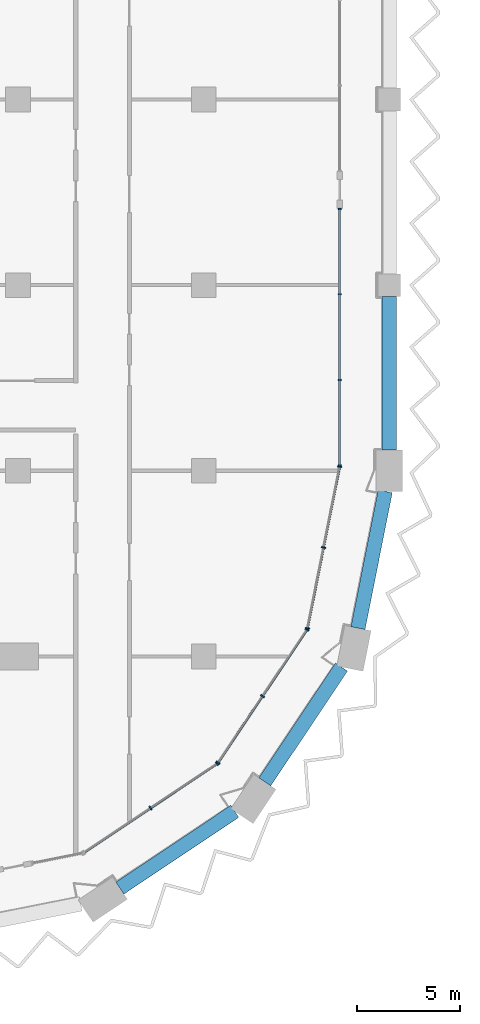
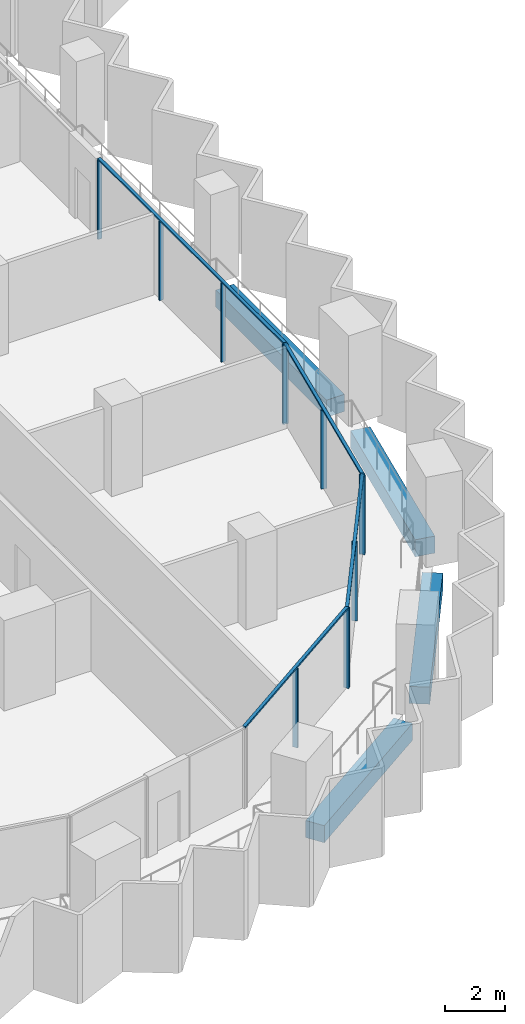
# One storey, part 3 of 22: 16 members, 4 beams, 4 elements without a shape of their own.
"""IFC4 building model written with IfcOpenShell, lengths in metres."""

from ifc_helpers import new_model, si_unit, direction, frame, origin, origin_2d, place, context, subcontext, project, spatial, rectangle, extrude, material, material_profile, profile_set, type_object, element, aggregate, save


model = new_model("IFC4")

# Units and contexts
model_context = context("Model", 3, precision=1e-05, world=origin(), true_north=direction((0.0, 1.0)))
body_context = subcontext(model_context, "Body", "Model", "MODEL_VIEW")
ifc_project = project(units=[si_unit("LENGTHUNIT", "METRE"), si_unit("AREAUNIT", "SQUARE_METRE"), si_unit("VOLUMEUNIT", "CUBIC_METRE"), si_unit("PLANEANGLEUNIT", "RADIAN"), si_unit("MASSUNIT", "GRAM", prefix="KILO")], contexts=[model_context])

# Site, building, storey
site_placement = place(None, origin())
site = spatial("IfcSite", under=ifc_project, at=site_placement, CompositionType="ELEMENT")
building_placement = place(site_placement, origin())
building = spatial("IfcBuilding", under=site, at=building_placement, Name="Hunhe Ridgeline Campus", CompositionType="ELEMENT")
storey_placement = place(building_placement, frame((0.0, 0.0, 159.699951171875)))
storey = spatial("IfcBuildingStorey", under=building, at=storey_placement, Name="L40", CompositionType="ELEMENT", Elevation=159.699951171875)

# Curtain wall, members
ifc_material_1 = material(Name="Aluminium 6063", Category="aluminium")
curtain_wall_type_1 = type_object("IfcCurtainWallType", Name="Curtain wall CW-1", PredefinedType="NOTDEFINED", material=ifc_material_1)
curtain_wall_1_placement = place(storey_placement, origin())
curtain_wall_1 = element("IfcCurtainWall", 1, at=curtain_wall_1_placement, inside=storey, type_object=curtain_wall_type_1, Name="Curtain wall 11", PredefinedType="NOTDEFINED")
ifc_material_profile_1 = material_profile(ifc_material_1, rectangle(XDim=0.159912109375, YDim=0.06005859375, at=origin_2d()))
ifc_profile_set_1 = profile_set([ifc_material_profile_1], Name="Aluminium 6063")
member_type_1 = type_object("IfcMemberType", Name="CW-1 aluminium mullion", PredefinedType="MULLION", material=ifc_profile_set_1)
member_1_placement = place(storey_placement, frame((42.59912109375, 27.266357421875, 0.0), z_axis=(0.0, 0.0, 1.0), x_axis=(-0.99999999999, 4.406345e-06, 0.0)))
member_1 = element("IfcMember", 2, at=member_1_placement, type_object=member_type_1, Name="CW-1 mullion 1", PredefinedType="MULLION", context=body_context, shape_type="SweptSolid", body=[
    extrude(rectangle(XDim=0.159912109375, YDim=0.06005859375, at=origin_2d()), origin(), (0.0, 0.0, 1.0), 3.239990234375),
])
member_2_placement = place(storey_placement, frame((42.59912109375, 31.397216796875, 0.0), z_axis=(0.0, 0.0, 1.0), x_axis=(-0.99999999999, 4.406345e-06, 0.0)))
member_2 = element("IfcMember", 3, at=member_2_placement, type_object=member_type_1, Name="CW-1 mullion 2", PredefinedType="MULLION", context=body_context, shape_type="SweptSolid", body=[
    extrude(rectangle(XDim=0.159912109375, YDim=0.06005859375, at=origin_2d()), origin(), (0.0, 0.0, 1.0), 3.239990234375),
])
member_3_placement = place(storey_placement, frame((42.59912109375, 35.557861328125, 0.0), z_axis=(0.0, 0.0, 1.0), x_axis=(-0.99999999999, 4.406345e-06, 0.0)))
member_3 = element("IfcMember", 4, at=member_3_placement, type_object=member_type_1, Name="CW-1 mullion 3", PredefinedType="MULLION", context=body_context, shape_type="SweptSolid", body=[
    extrude(rectangle(XDim=0.159912109375, YDim=0.06005859375, at=origin_2d()), origin(), (0.0, 0.0, 1.0), 3.239990234375),
])
member_4_placement = place(storey_placement, frame((42.59912109375, 39.6884765625, 0.0), z_axis=(0.0, 0.0, 1.0), x_axis=(-0.99999999999, 4.406345e-06, 0.0)))
member_4 = element("IfcMember", 5, at=member_4_placement, type_object=member_type_1, Name="CW-1 mullion 4", PredefinedType="MULLION", context=body_context, shape_type="SweptSolid", body=[
    extrude(rectangle(XDim=0.159912109375, YDim=0.06005859375, at=origin_2d()), origin(), (0.0, 0.0, 1.0), 3.239990234375),
])
ifc_material_profile_2 = material_profile(ifc_material_1, rectangle(XDim=0.1201171875, YDim=0.06005859375, at=origin_2d()))
ifc_profile_set_2 = profile_set([ifc_material_profile_2], Name="Aluminium 6063")
member_type_2 = type_object("IfcMemberType", Name="CW-1 aluminium transom", PredefinedType="USERDEFINED", material=ifc_profile_set_2)
member_5_placement = place(storey_placement, frame((42.59912109375, 27.236572265625, 3.27001953125), z_axis=(0.0, 1.0, 0.0), x_axis=(-1.0, 0.0, 0.0)))
member_5 = element("IfcMember", 6, at=member_5_placement, type_object=member_type_2, Name="CW-1 transom 1", ObjectType="TRANSOM", PredefinedType="USERDEFINED", context=body_context, shape_type="SweptSolid", body=[
    extrude(rectangle(XDim=0.1201171875, YDim=0.06005859375, at=origin_2d()), origin(), (0.0, 0.0, 1.0), 12.48193359375),
])
aggregate(curtain_wall_1, [member_5, member_1, member_2, member_3, member_4])

curtain_wall_type_2 = type_object("IfcCurtainWallType", Name="Curtain wall CW-5", PredefinedType="NOTDEFINED", material=ifc_material_1)
curtain_wall_2_placement = place(storey_placement, origin())
curtain_wall_2 = element("IfcCurtainWall", 7, at=curtain_wall_2_placement, inside=storey, type_object=curtain_wall_type_2, Name="Curtain wall 08", PredefinedType="NOTDEFINED")
ifc_material_profile_3 = material_profile(ifc_material_1, rectangle(XDim=0.199951171875, YDim=0.070068359375, at=origin_2d()))
ifc_profile_set_3 = profile_set([ifc_material_profile_3], Name="Aluminium 6063")
member_type_3 = type_object("IfcMemberType", Name="CW-5 aluminium mullion", PredefinedType="MULLION", material=ifc_profile_set_3)
member_6_placement = place(storey_placement, frame((33.42626953125, 10.647705078125, 0.0), z_axis=(0.0, 0.0, 1.0), x_axis=(-0.555570274596, 0.831469584522, 0.0)))
member_6 = element("IfcMember", 8, at=member_6_placement, type_object=member_type_3, Name="CW-5 mullion 2", PredefinedType="MULLION", context=body_context, shape_type="SweptSolid", body=[
    extrude(rectangle(XDim=0.199951171875, YDim=0.070068359375, at=origin_2d()), origin(), (0.0, 0.0, 1.0), 3.22998046875),
])
member_7_placement = place(storey_placement, frame((36.649658203125, 12.8017578125, 0.0), z_axis=(0.0, 0.0, 1.0), x_axis=(-0.555570274596, 0.831469584522, 0.0)))
member_7 = element("IfcMember", 9, at=member_7_placement, type_object=member_type_3, Name="CW-5 mullion 3", PredefinedType="MULLION", context=body_context, shape_type="SweptSolid", body=[
    extrude(rectangle(XDim=0.199951171875, YDim=0.070068359375, at=origin_2d()), origin(), (0.0, 0.0, 1.0), 3.22998046875),
])

curtain_wall_3_placement = place(storey_placement, origin())
curtain_wall_3 = element("IfcCurtainWall", 10, at=curtain_wall_3_placement, inside=storey, type_object=curtain_wall_type_2, Name="Curtain wall 09", PredefinedType="NOTDEFINED")
member_8_placement = place(storey_placement, frame((36.6982421875, 12.850341796875, 0.0), z_axis=(0.0, 0.0, 1.0), x_axis=(-0.831469584522, 0.555570274596, 0.0)))
member_8 = element("IfcMember", 11, at=member_8_placement, type_object=member_type_3, Name="CW-5 mullion 1", PredefinedType="MULLION", context=body_context, shape_type="SweptSolid", body=[
    extrude(rectangle(XDim=0.199951171875, YDim=0.070068359375, at=origin_2d()), origin(), (0.0, 0.0, 1.0), 3.22998046875),
])
member_9_placement = place(storey_placement, frame((38.852294921875, 16.07373046875, 0.0), z_axis=(0.0, 0.0, 1.0), x_axis=(-0.831469584522, 0.555570274596, 0.0)))
member_9 = element("IfcMember", 12, at=member_9_placement, type_object=member_type_3, Name="CW-5 mullion 2", PredefinedType="MULLION", context=body_context, shape_type="SweptSolid", body=[
    extrude(rectangle(XDim=0.199951171875, YDim=0.070068359375, at=origin_2d()), origin(), (0.0, 0.0, 1.0), 3.22998046875),
])
member_10_placement = place(storey_placement, frame((41.006103515625, 19.29736328125, 0.0), z_axis=(0.0, 0.0, 1.0), x_axis=(-0.831469584522, 0.555570274596, 0.0)))
member_10 = element("IfcMember", 13, at=member_10_placement, type_object=member_type_3, Name="CW-5 mullion 3", PredefinedType="MULLION", context=body_context, shape_type="SweptSolid", body=[
    extrude(rectangle(XDim=0.199951171875, YDim=0.070068359375, at=origin_2d()), origin(), (0.0, 0.0, 1.0), 3.22998046875),
])

curtain_wall_4_placement = place(storey_placement, origin())
curtain_wall_4 = element("IfcCurtainWall", 14, at=curtain_wall_4_placement, inside=storey, type_object=curtain_wall_type_2, Name="Curtain wall 10", PredefinedType="NOTDEFINED")
member_11_placement = place(storey_placement, frame((41.032470703125, 19.36083984375, 0.0), z_axis=(0.0, 0.0, 1.0), x_axis=(-0.980785284939, 0.195090299215, 0.0)))
member_11 = element("IfcMember", 15, at=member_11_placement, type_object=member_type_3, Name="CW-5 mullion 1", PredefinedType="MULLION", context=body_context, shape_type="SweptSolid", body=[
    extrude(rectangle(XDim=0.199951171875, YDim=0.070068359375, at=origin_2d()), origin(), (0.0, 0.0, 1.0), 3.22998046875),
])
member_12_placement = place(storey_placement, frame((41.812255859375, 23.281494140625, 0.0), z_axis=(0.0, 0.0, 1.0), x_axis=(-0.980785284939, 0.195090299215, 0.0)))
member_12 = element("IfcMember", 16, at=member_12_placement, type_object=member_type_3, Name="CW-5 mullion 2", PredefinedType="MULLION", context=body_context, shape_type="SweptSolid", body=[
    extrude(rectangle(XDim=0.199951171875, YDim=0.070068359375, at=origin_2d()), origin(), (0.0, 0.0, 1.0), 3.22998046875),
])
member_13_placement = place(storey_placement, frame((42.59228515625, 27.2021484375, 0.0), z_axis=(0.0, 0.0, 1.0), x_axis=(-0.980785284939, 0.195090299215, 0.0)))
member_13 = element("IfcMember", 17, at=member_13_placement, type_object=member_type_3, Name="CW-5 mullion 3", PredefinedType="MULLION", context=body_context, shape_type="SweptSolid", body=[
    extrude(rectangle(XDim=0.199951171875, YDim=0.070068359375, at=origin_2d()), origin(), (0.0, 0.0, 1.0), 3.22998046875),
])

# Member
ifc_material_profile_4 = material_profile(ifc_material_1, rectangle(XDim=0.1201171875, YDim=0.070068359375, at=origin_2d()))
ifc_profile_set_4 = profile_set([ifc_material_profile_4], Name="Aluminium 6063")
member_type_4 = type_object("IfcMemberType", Name="CW-5 aluminium transom", PredefinedType="USERDEFINED", material=ifc_profile_set_4)
member_14_placement = place(storey_placement, frame((30.173583984375, 8.474365234375, 3.26513671875), z_axis=(0.831473763475, 0.5555640203, 0.0), x_axis=(-0.5555640203, 0.831473763475, 0.0)))
member_14 = element("IfcMember", 18, at=member_14_placement, type_object=member_type_4, Name="CW-5 transom 1", ObjectType="TRANSOM", PredefinedType="USERDEFINED", context=body_context, shape_type="SweptSolid", body=[
    extrude(rectangle(XDim=0.1201171875, YDim=0.070068359375, at=origin_2d()), origin(), (0.0, 0.0, 1.0), 7.823974609375),
])

aggregate(curtain_wall_2, [member_14, member_6, member_7])

member_15_placement = place(storey_placement, frame((36.678955078125, 12.821044921875, 3.26513671875), z_axis=(0.5555640203, 0.831473763475, 0.0), x_axis=(-0.831473763475, 0.5555640203, 0.0)))
member_15 = element("IfcMember", 19, at=member_15_placement, type_object=member_type_4, Name="CW-5 transom 1", ObjectType="TRANSOM", PredefinedType="USERDEFINED", context=body_context, shape_type="SweptSolid", body=[
    extrude(rectangle(XDim=0.1201171875, YDim=0.070068359375, at=origin_2d()), origin(), (0.0, 0.0, 1.0), 7.823974609375),
])

aggregate(curtain_wall_3, [member_15, member_8, member_9, member_10])

member_16_placement = place(storey_placement, frame((41.025634765625, 19.326416015625, 3.26513671875), z_axis=(0.195097290093, 0.980783894341, 0.0), x_axis=(-0.980783894341, 0.195097290093, 0.0)))
member_16 = element("IfcMember", 20, at=member_16_placement, type_object=member_type_4, Name="CW-5 transom 1", ObjectType="TRANSOM", PredefinedType="USERDEFINED", context=body_context, shape_type="SweptSolid", body=[
    extrude(rectangle(XDim=0.1201171875, YDim=0.070068359375, at=origin_2d()), origin(), (0.0, 0.0, 1.0), 8.065185546875),
])

aggregate(curtain_wall_4, [member_16, member_11, member_12, member_13])

# Beams
ifc_material_2 = material(Name="Concrete C60", Category="concrete")
ifc_material_profile_5 = material_profile(ifc_material_2, rectangle(XDim=0.699951171875, YDim=0.699951171875, at=origin_2d()))
ifc_profile_set_5 = profile_set([ifc_material_profile_5], Name="Concrete C60")
beam_type = type_object("IfcBeamType", Name="RC spandrel beam 700x700 Concrete C60", PredefinedType="SPANDREL", material=ifc_profile_set_5)
for number, where, z_axis, x_axis, name in (
    (21, (31.94189453125, 6.768310546875, -0.599853515625), (0.831472141711, 0.555566447474, 0.0), (-0.555566447474, 0.831472141711, 0.0), "Spandrel beam B2-6 L40"),
    (22, (38.965576171875, 11.921630859375, -0.599853515625), (0.555566447474, 0.831472141711, 0.0), (-0.831472141711, 0.555566447474, 0.0), "Spandrel beam B2-7 L40"),
):
    element("IfcBeam", number, at=place(storey_placement, frame(where, z_axis=z_axis, x_axis=x_axis)), inside=storey, type_object=beam_type, Name=name, PredefinedType="SPANDREL", context=body_context, shape_type="SweptSolid", body=[
        extrude(rectangle(XDim=0.699951171875, YDim=0.699951171875, at=origin_2d()), origin(), (0.0, 0.0, 1.0), 6.69677734375),
    ])
beam_1_placement = place(storey_placement, frame((43.482421875, 19.370361328125, -0.599853515625), z_axis=(0.195074154586, 0.980788496166, 0.0), x_axis=(-0.980788496166, 0.195074154586, 0.0)))
element("IfcBeam", 23, at=beam_1_placement, inside=storey, type_object=beam_type, Name="Spandrel beam B2-8 L40", PredefinedType="SPANDREL", context=body_context, shape_type="SweptSolid", body=[
    extrude(rectangle(XDim=0.699951171875, YDim=0.699951171875, at=origin_2d()), origin(), (0.0, 0.0, 1.0), 6.759521484375),
])
beam_2_placement = place(storey_placement, frame((45.0, 28.0, -0.599853515625), z_axis=(0.0, 1.0, 0.0), x_axis=(-1.0, 0.0, 0.0)))
element("IfcBeam", 24, at=beam_2_placement, inside=storey, type_object=beam_type, Name="Spandrel beam B2-9 L40", PredefinedType="SPANDREL", context=body_context, shape_type="SweptSolid", body=[
    extrude(rectangle(XDim=0.699951171875, YDim=0.699951171875, at=origin_2d()), origin(), (0.0, 0.0, 1.0), 7.449951171875),
])

save(model, "model.ifc")
